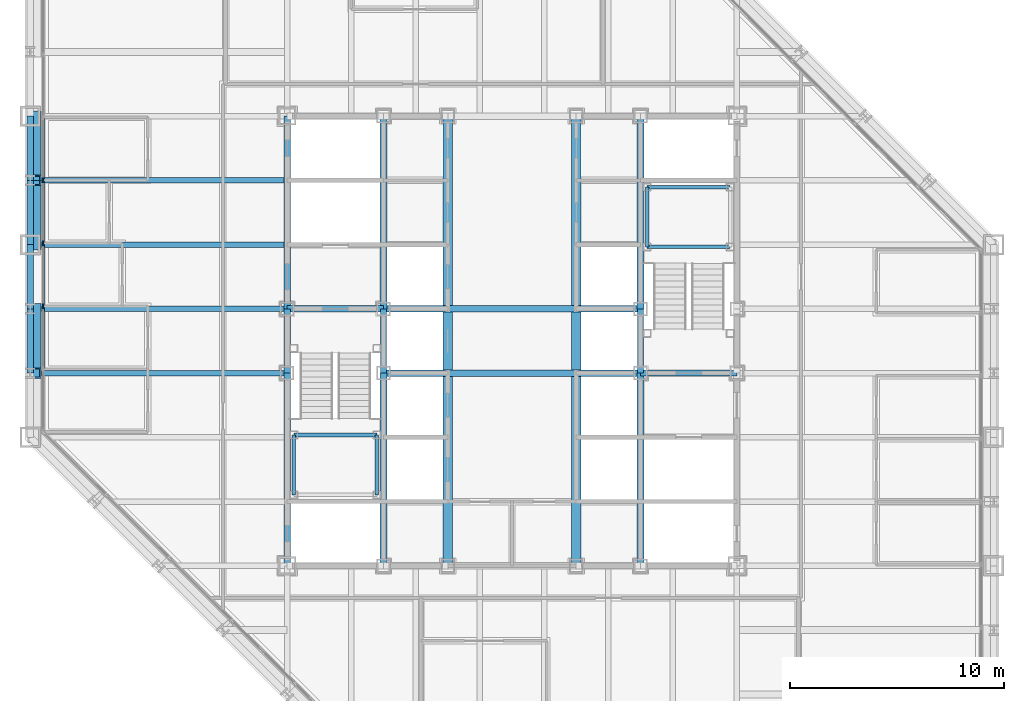
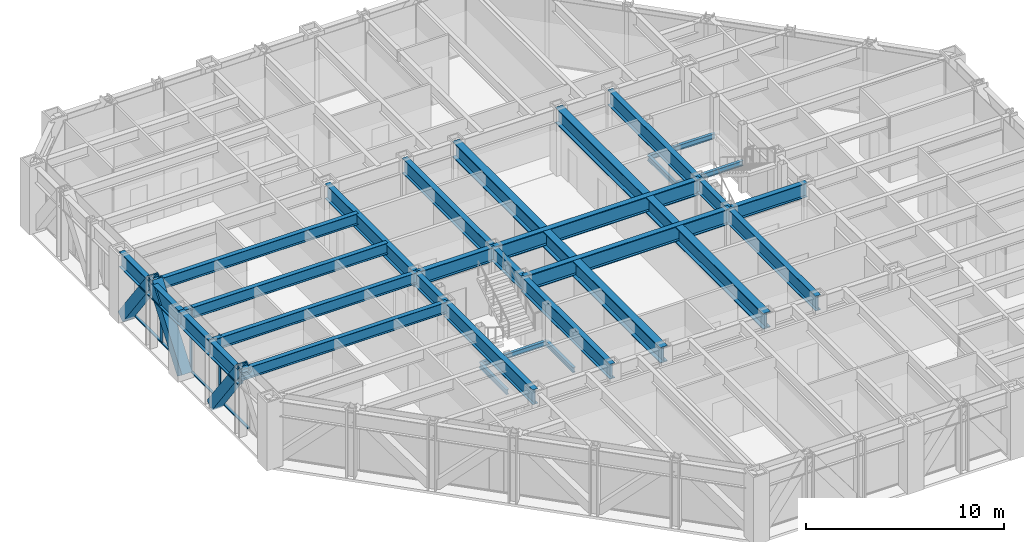
# One storey, part 5 of 16: 33 beams, 10 members, 1 element without a shape of its own.
"""IFC4 building model written with IfcOpenShell, lengths in metres."""

from ifc_helpers import new_model, si_unit, direction, frame, origin, origin_2d, place, context, subcontext, project, spatial, rectangle, hollow_rectangle, i_section, extrude, material, layer, layer_set, material_profile, profile_set, type_object, element, aggregate, save


model = new_model("IFC4")

# Units and contexts
model_context = context("Model", 3, precision=1e-05, world=origin(), true_north=direction((0.0, 1.0)))
body_context = subcontext(model_context, "Body", "Model", "MODEL_VIEW")
ifc_project = project(units=[si_unit("LENGTHUNIT", "METRE"), si_unit("AREAUNIT", "SQUARE_METRE"), si_unit("VOLUMEUNIT", "CUBIC_METRE"), si_unit("PLANEANGLEUNIT", "RADIAN"), si_unit("MASSUNIT", "GRAM", prefix="KILO")], contexts=[model_context])

# Site, building, storey
site_placement = place(None, origin())
site = spatial("IfcSite", under=ifc_project, at=site_placement, CompositionType="ELEMENT")
building_placement = place(site_placement, origin())
building = spatial("IfcBuilding", under=site, at=building_placement, Name="Chuquiago Exchange Tower", CompositionType="ELEMENT")
storey_placement = place(building_placement, frame((0.0, 0.0, 140.39990234375)))
storey = spatial("IfcBuildingStorey", under=building, at=storey_placement, Name="L30", CompositionType="ELEMENT", Elevation=140.39990234375)

# Beams
ifc_material_1 = material(Name="Steel ASTM A992", Category="steel")
ifc_material_profile_1 = material_profile(ifc_material_1, i_section(OverallWidth=0.25390625, OverallDepth=0.683349609375, WebThickness=0.012451171875, FlangeThickness=0.018798828125, at=origin_2d()), Name="W27X94")
ifc_profile_set_1 = profile_set([ifc_material_profile_1], Name="Steel ASTM A992")
beam_type_1 = type_object("IfcBeamType", Name="B1 W27X94", PredefinedType="BEAM", material=ifc_profile_set_1)
for number, where, z_axis, x_axis, name in (
    (1, (12.0, 21.0, 3.698486328125), (-1.0, 0.0, 0.0), (0.0, -1.0, 0.0), "FB-L31-infill-12_21--0_21-0"),
    (2, (12.0, 24.0, 3.698486328125), (-1.0, 0.0, 0.0), (0.0, -1.0, 0.0), "FB-L31-infill-12_24--0_24-0"),
    (3, (12.0, 27.0, 3.698486328125), (-1.0, 0.0, 0.0), (0.0, -1.0, 0.0), "FB-L31-infill-12_27--0_27-0"),
    (4, (12.0, 30.0, 3.698486328125), (-1.0, 0.0, 0.0), (0.0, -1.0, 0.0), "FB-L31-infill-12_30--0_30-0"),
):
    element("IfcBeam", number, at=place(storey_placement, frame(where, z_axis=z_axis, x_axis=x_axis)), inside=storey, type_object=beam_type_1, Name=name, PredefinedType="BEAM", context=body_context, shape_type="SweptSolid", body=[
        extrude(i_section(OverallWidth=0.25390625, OverallDepth=0.683349609375, WebThickness=0.012451171875, FlangeThickness=0.018798828125, at=origin_2d()), origin(), (0.0, 0.0, 1.0), 12.0),
    ])
ifc_material_2 = material(Name="Steel ASTM A992", Category="steel")
ifc_material_profile_2 = material_profile(ifc_material_2, i_section(OverallWidth=0.307373046875, OverallDepth=0.927001953125, WebThickness=0.01953125, FlangeThickness=0.031982421875, at=origin_2d()), Name="W36X194")
ifc_profile_set_2 = profile_set([ifc_material_profile_2], Name="Steel ASTM A992")
beam_type_2 = type_object("IfcBeamType", Name="B10 W36X194", PredefinedType="BEAM", material=ifc_profile_set_2)
for number, where, z_axis, x_axis, name in (
    (5, (12.0, 12.0, 3.576416015625), (0.0, 1.0, 0.0), (-1.0, 0.0, 0.0), "CB-L31-12_12-12_21"),
    (6, (12.0, 24.0, 3.576416015625), (0.0, 1.0, 0.0), (-1.0, 0.0, 0.0), "CB-L31-12_24-12_33"),
    (7, (16.5, 12.0, 3.576416015625), (0.0, 1.0, 0.0), (-1.0, 0.0, 0.0), "CB-L31-16.5_12-16.5_21"),
    (8, (16.5, 24.0, 3.576416015625), (0.0, 1.0, 0.0), (-1.0, 0.0, 0.0), "CB-L31-16.5_24-16.5_33"),
    (9, (28.5, 12.0, 3.576416015625), (0.0, 1.0, 0.0), (-1.0, 0.0, 0.0), "CB-L31-28.5_12-28.5_21"),
    (10, (28.5, 24.0, 3.576416015625), (0.0, 1.0, 0.0), (-1.0, 0.0, 0.0), "CB-L31-28.5_24-28.5_33"),
):
    element("IfcBeam", number, at=place(storey_placement, frame(where, z_axis=z_axis, x_axis=x_axis)), inside=storey, type_object=beam_type_2, Name=name, PredefinedType="BEAM", context=body_context, shape_type="SweptSolid", body=[
        extrude(i_section(OverallWidth=0.307373046875, OverallDepth=0.927001953125, WebThickness=0.01953125, FlangeThickness=0.031982421875, at=origin_2d()), origin(), (0.0, 0.0, 1.0), 9.0),
    ])
ifc_material_3 = material(Name="Steel ASTM A992", Category="steel")
ifc_material_profile_3 = material_profile(ifc_material_3, i_section(OverallWidth=0.309814453125, OverallDepth=0.949951171875, WebThickness=0.0244140625, FlangeThickness=0.0439453125, at=origin_2d()), Name="W36X256")
ifc_profile_set_3 = profile_set([ifc_material_profile_3], Name="Steel ASTM A992")
beam_type_3 = type_object("IfcBeamType", Name="B11 W36X256", PredefinedType="BEAM", material=ifc_profile_set_3)
for number, where, z_axis, x_axis, name in (
    (11, (16.5, 21.0, 3.565185546875), (1.0, 0.0, 0.0), (0.0, 1.0, 0.0), "CB-L31-16.5_21-28.5_21"),
    (12, (16.5, 24.0, 3.565185546875), (1.0, 0.0, 0.0), (0.0, 1.0, 0.0), "CB-L31-16.5_24-28.5_24"),
):
    element("IfcBeam", number, at=place(storey_placement, frame(where, z_axis=z_axis, x_axis=x_axis)), inside=storey, type_object=beam_type_3, Name=name, PredefinedType="BEAM", context=body_context, shape_type="SweptSolid", body=[
        extrude(i_section(OverallWidth=0.309814453125, OverallDepth=0.949951171875, WebThickness=0.0244140625, FlangeThickness=0.0439453125, at=origin_2d()), origin(), (0.0, 0.0, 1.0), 12.0),
    ])
ifc_material_4 = material(Name="Steel ASTM A992", Category="steel")
ifc_material_profile_4 = material_profile(ifc_material_4, i_section(OverallWidth=0.4267578125, OverallDepth=0.975341796875, WebThickness=0.031005859375, FlangeThickness=0.055908203125, at=origin_2d()), Name="W36X395")
ifc_profile_set_4 = profile_set([ifc_material_profile_4], Name="Steel ASTM A992")
beam_type_4 = type_object("IfcBeamType", Name="B12 W36X395", PredefinedType="BEAM", material=ifc_profile_set_4)
beam_1_placement = place(storey_placement, frame((19.5, 12.0, 3.552490234375), z_axis=(0.0, 1.0, 0.0), x_axis=(-1.0, 0.0, 0.0)))
element("IfcBeam", 13, at=beam_1_placement, inside=storey, type_object=beam_type_4, Name="CB-L31-19.5_12-19.5_20.8451", PredefinedType="BEAM", context=body_context, shape_type="SweptSolid", body=[
    extrude(i_section(OverallWidth=0.4267578125, OverallDepth=0.975341796875, WebThickness=0.031005859375, FlangeThickness=0.055908203125, at=origin_2d()), origin(), (0.0, 0.0, 1.0), 8.84521484375),
])
beam_2_placement = place(storey_placement, frame((19.5, 21.15478515625, 3.552490234375), z_axis=(0.0, 1.0, 0.0), x_axis=(-1.0, 0.0, 0.0)))
element("IfcBeam", 14, at=beam_2_placement, inside=storey, type_object=beam_type_4, Name="CB-L31-19.5_21.1549-19.5_23.8451", PredefinedType="BEAM", context=body_context, shape_type="SweptSolid", body=[
    extrude(i_section(OverallWidth=0.4267578125, OverallDepth=0.975341796875, WebThickness=0.031005859375, FlangeThickness=0.055908203125, at=origin_2d()), origin(), (0.0, 0.0, 1.0), 2.6904296875),
])
for number, where, z_axis, x_axis, name in (
    (15, (19.5, 24.15478515625, 3.552490234375), (0.0, 1.0, 0.0), (-1.0, 0.0, 0.0), "CB-L31-19.5_24.1549-19.5_33"),
    (16, (25.5, 12.0, 3.552490234375), (0.0, 1.0, 0.0), (-1.0, 0.0, 0.0), "CB-L31-25.5_12-25.5_20.8451"),
):
    element("IfcBeam", number, at=place(storey_placement, frame(where, z_axis=z_axis, x_axis=x_axis)), inside=storey, type_object=beam_type_4, Name=name, PredefinedType="BEAM", context=body_context, shape_type="SweptSolid", body=[
        extrude(i_section(OverallWidth=0.4267578125, OverallDepth=0.975341796875, WebThickness=0.031005859375, FlangeThickness=0.055908203125, at=origin_2d()), origin(), (0.0, 0.0, 1.0), 8.84521484375),
    ])
beam_3_placement = place(storey_placement, frame((25.5, 21.15478515625, 3.552490234375), z_axis=(0.0, 1.0, 0.0), x_axis=(-1.0, 0.0, 0.0)))
element("IfcBeam", 17, at=beam_3_placement, inside=storey, type_object=beam_type_4, Name="CB-L31-25.5_21.1549-25.5_23.8451", PredefinedType="BEAM", context=body_context, shape_type="SweptSolid", body=[
    extrude(i_section(OverallWidth=0.4267578125, OverallDepth=0.975341796875, WebThickness=0.031005859375, FlangeThickness=0.055908203125, at=origin_2d()), origin(), (0.0, 0.0, 1.0), 2.6904296875),
])
beam_4_placement = place(storey_placement, frame((25.5, 24.15478515625, 3.552490234375), z_axis=(0.0, 1.0, 0.0), x_axis=(-1.0, 0.0, 0.0)))
element("IfcBeam", 18, at=beam_4_placement, inside=storey, type_object=beam_type_4, Name="CB-L31-25.5_24.1549-25.5_33", PredefinedType="BEAM", context=body_context, shape_type="SweptSolid", body=[
    extrude(i_section(OverallWidth=0.4267578125, OverallDepth=0.975341796875, WebThickness=0.031005859375, FlangeThickness=0.055908203125, at=origin_2d()), origin(), (0.0, 0.0, 1.0), 8.84521484375),
])
ifc_material_5 = material(Name="Steel ASTM A992", Category="steel")
ifc_material_profile_5 = material_profile(ifc_material_5, i_section(OverallWidth=0.2919921875, OverallDepth=0.8583984375, WebThickness=0.01708984375, FlangeThickness=0.031005859375, at=origin_2d()), Name="W33X169")
ifc_profile_set_5 = profile_set([ifc_material_profile_5], Name="Steel ASTM A992")
beam_type_5 = type_object("IfcBeamType", Name="B3 W33X169", PredefinedType="BEAM", material=ifc_profile_set_5)
for number, where, z_axis, x_axis, name in (
    (19, (12.0, 21.0, 3.61083984375), (0.0, 1.0, 0.0), (-1.0, 0.0, 0.0), "CB-L31-12_21-12_24"),
    (20, (16.5, 21.0, 3.61083984375), (0.0, 1.0, 0.0), (-1.0, 0.0, 0.0), "CB-L31-16.5_21-16.5_24"),
    (21, (28.5, 21.0, 3.61083984375), (0.0, 1.0, 0.0), (-1.0, 0.0, 0.0), "CB-L31-28.5_21-28.5_24"),
):
    element("IfcBeam", number, at=place(storey_placement, frame(where, z_axis=z_axis, x_axis=x_axis)), inside=storey, type_object=beam_type_5, Name=name, PredefinedType="BEAM", context=body_context, shape_type="SweptSolid", body=[
        extrude(i_section(OverallWidth=0.2919921875, OverallDepth=0.8583984375, WebThickness=0.01708984375, FlangeThickness=0.031005859375, at=origin_2d()), origin(), (0.0, 0.0, 1.0), 3.0),
    ])
for number, where, z_axis, x_axis, name in (
    (22, (28.5, 21.0, 3.61083984375), (1.0, 0.0, 0.0), (0.0, 1.0, 0.0), "CB-L31-28.5_21-33_21"),
    (23, (12.0, 24.0, 3.61083984375), (1.0, 0.0, 0.0), (0.0, 1.0, 0.0), "CB-L31-12_24-16.5_24"),
):
    element("IfcBeam", number, at=place(storey_placement, frame(where, z_axis=z_axis, x_axis=x_axis)), inside=storey, type_object=beam_type_5, Name=name, PredefinedType="BEAM", context=body_context, shape_type="SweptSolid", body=[
        extrude(i_section(OverallWidth=0.2919921875, OverallDepth=0.8583984375, WebThickness=0.01708984375, FlangeThickness=0.031005859375, at=origin_2d()), origin(), (0.0, 0.0, 1.0), 4.5),
    ])

# Curtain wall, members
ifc_material_6 = material(Name="Aluminium curtain wall system", Category="aluminium")
ifc_layer = layer(ifc_material_6, 0.22509765625)
ifc_layer_set = layer_set([ifc_layer], Name="CW2 office curtain wall")
curtain_wall_type = type_object("IfcCurtainWallType", Name="CW2 office curtain wall", PredefinedType="NOTDEFINED", material=ifc_layer_set)
curtain_wall_placement = place(storey_placement, origin())
curtain_wall = element("IfcCurtainWall", 24, at=curtain_wall_placement, inside=storey, type_object=curtain_wall_type, Name="CW2 curtain wall L30", PredefinedType="NOTDEFINED")
ifc_material_7 = material(Name="Aluminium mullion, pale anodised", Category="aluminium")
ifc_material_profile_6 = material_profile(ifc_material_7, rectangle(XDim=0.06494140625, YDim=0.22509765625, at=origin_2d()), Name="AL 65x225")
ifc_profile_set_6 = profile_set([ifc_material_profile_6], Name="Aluminium mullion, pale anodised")
member_type_1 = type_object("IfcMemberType", Name="CW2-M mullion 65x225", PredefinedType="MULLION", material=ifc_profile_set_6)
member_1_placement = place(storey_placement, frame((0.60009765625, 30.0, 0.0), z_axis=(0.0, 0.0, 1.0), x_axis=(1.0, 0.0, 0.0)))
member_1 = element("IfcMember", 25, at=member_1_placement, type_object=member_type_1, Name="CW2 mullion 5", PredefinedType="MULLION", context=body_context, shape_type="SweptSolid", body=[
    extrude(rectangle(XDim=0.06494140625, YDim=0.22509765625, at=origin_2d()), origin(), (0.0, 0.0, 1.0), 4.0400390625),
])
member_2_placement = place(storey_placement, frame((0.60009765625, 27.06201171875, 0.0), z_axis=(0.0, 0.0, 1.0), x_axis=(1.0, 0.0, 0.0)))
member_2 = element("IfcMember", 26, at=member_2_placement, type_object=member_type_1, Name="CW2 mullion 6", PredefinedType="MULLION", context=body_context, shape_type="SweptSolid", body=[
    extrude(rectangle(XDim=0.06494140625, YDim=0.22509765625, at=origin_2d()), origin(), (0.0, 0.0, 1.0), 4.0400390625),
])
member_3_placement = place(storey_placement, frame((0.60009765625, 24.124267578125, 0.0), z_axis=(0.0, 0.0, 1.0), x_axis=(1.0, 0.0, 0.0)))
member_3 = element("IfcMember", 27, at=member_3_placement, type_object=member_type_1, Name="CW2 mullion 7", PredefinedType="MULLION", context=body_context, shape_type="SweptSolid", body=[
    extrude(rectangle(XDim=0.06494140625, YDim=0.22509765625, at=origin_2d()), origin(), (0.0, 0.0, 1.0), 4.0400390625),
])
ifc_material_8 = material(Name="Aluminium transom, pale anodised", Category="aluminium")
ifc_material_profile_7 = material_profile(ifc_material_8, rectangle(XDim=0.139892578125, YDim=0.06494140625, at=origin_2d()), Name="AL 140x65")
ifc_profile_set_7 = profile_set([ifc_material_profile_7], Name="Aluminium transom, pale anodised")
member_type_2 = type_object("IfcMemberType", Name="CW2-T transom 65x140", PredefinedType="MULLION", material=ifc_profile_set_7)
member_4_placement = place(storey_placement, frame((0.60009765625, 32.9052734375, 0.03271484375), z_axis=(0.0, -1.0, 0.0), x_axis=(1.0, 0.0, 0.0)))
member_4 = element("IfcMember", 28, at=member_4_placement, type_object=member_type_2, Name="CW2 transom 4.1", PredefinedType="MULLION", context=body_context, shape_type="SweptSolid", body=[
    extrude(rectangle(XDim=0.139892578125, YDim=0.06494140625, at=origin_2d()), origin(), (0.0, 0.0, 1.0), 2.872802734375),
])
member_5_placement = place(storey_placement, frame((0.60009765625, 29.967529296875, 0.03271484375), z_axis=(0.0, -1.0, 0.0), x_axis=(1.0, 0.0, 0.0)))
member_5 = element("IfcMember", 29, at=member_5_placement, type_object=member_type_2, Name="CW2 transom 5.1", PredefinedType="MULLION", context=body_context, shape_type="SweptSolid", body=[
    extrude(rectangle(XDim=0.139892578125, YDim=0.06494140625, at=origin_2d()), origin(), (0.0, 0.0, 1.0), 2.872802734375),
])
member_6_placement = place(storey_placement, frame((0.60009765625, 27.029541015625, 0.03271484375), z_axis=(0.0, -1.0, 0.0), x_axis=(1.0, 0.0, 0.0)))
member_6 = element("IfcMember", 30, at=member_6_placement, type_object=member_type_2, Name="CW2 transom 6.1", PredefinedType="MULLION", context=body_context, shape_type="SweptSolid", body=[
    extrude(rectangle(XDim=0.139892578125, YDim=0.06494140625, at=origin_2d()), origin(), (0.0, 0.0, 1.0), 2.872802734375),
])
member_7_placement = place(storey_placement, frame((0.60009765625, 24.091796875, 0.03271484375), z_axis=(0.0, -1.0, 0.0), x_axis=(1.0, 0.0, 0.0)))
member_7 = element("IfcMember", 31, at=member_7_placement, type_object=member_type_2, Name="CW2 transom 7.1", PredefinedType="MULLION", context=body_context, shape_type="SweptSolid", body=[
    extrude(rectangle(XDim=0.139892578125, YDim=0.06494140625, at=origin_2d()), origin(), (0.0, 0.0, 1.0), 2.872802734375),
])
aggregate(curtain_wall, [member_1, member_2, member_3, member_4, member_5, member_6, member_7])

# Beams
ifc_material_9 = material(Name="Steel ASTM A992", Category="steel")
ifc_material_profile_8 = material_profile(ifc_material_9, i_section(OverallWidth=0.164794921875, OverallDepth=0.309814453125, WebThickness=0.005859375, FlangeThickness=0.009765625, at=origin_2d()), Name="W12X26")
ifc_profile_set_8 = profile_set([ifc_material_profile_8], Name="Steel ASTM A992")
beam_type_6 = type_object("IfcBeamType", Name="LS1 W12X26", PredefinedType="BEAM", material=ifc_profile_set_8)
for number, where, z_axis, x_axis, name in (
    (32, (12.31005859375, 15.31005859375, 1.7451171875), (0.0, 1.0, 0.0), (-1.0, 0.0, 0.0), "Stair ST1 L30 landing 1 stringer"),
    (33, (16.18994140625, 15.31005859375, 1.7451171875), (0.0, 1.0, 0.0), (-1.0, 0.0, 0.0), "Stair ST1 L30 landing 1 stringer"),
    (34, (28.81005859375, 26.889892578125, 1.7451171875), (0.0, 1.0, 0.0), (-1.0, 0.0, 0.0), "Stair ST2 L30 landing 1 stringer"),
):
    element("IfcBeam", number, at=place(storey_placement, frame(where, z_axis=z_axis, x_axis=x_axis)), inside=storey, type_object=beam_type_6, Name=name, PredefinedType="BEAM", context=body_context, shape_type="SweptSolid", body=[
        extrude(i_section(OverallWidth=0.164794921875, OverallDepth=0.309814453125, WebThickness=0.005859375, FlangeThickness=0.009765625, at=origin_2d()), origin(), (0.0, 0.0, 1.0), 2.800048828125),
    ])
ifc_material_10 = material(Name="Steel ASTM A992", Category="steel")
ifc_material_profile_9 = material_profile(ifc_material_10, i_section(OverallWidth=0.164794921875, OverallDepth=0.309814453125, WebThickness=0.005859375, FlangeThickness=0.009765625, at=origin_2d()), Name="W12X26")
ifc_profile_set_9 = profile_set([ifc_material_profile_9], Name="Steel ASTM A992")
beam_type_7 = type_object("IfcBeamType", Name="LT1 W12X26", PredefinedType="BEAM", material=ifc_profile_set_9)
for number, where, z_axis, x_axis, name in (
    (35, (12.31005859375, 18.110107421875, 1.7451171875), (1.0, 0.0, 0.0), (0.0, 1.0, 0.0), "Stair ST1 L30 landing 1 trimmer"),
    (36, (28.81005859375, 29.68994140625, 1.7451171875), (1.0, 0.0, 0.0), (0.0, 1.0, 0.0), "Stair ST2 L30 landing 1 trimmer"),
    (37, (28.81005859375, 26.889892578125, 1.7451171875), (1.0, 0.0, 0.0), (0.0, 1.0, 0.0), "Stair ST2 L30 landing 1 trimmer"),
):
    element("IfcBeam", number, at=place(storey_placement, frame(where, z_axis=z_axis, x_axis=x_axis)), inside=storey, type_object=beam_type_7, Name=name, PredefinedType="BEAM", context=body_context, shape_type="SweptSolid", body=[
        extrude(i_section(OverallWidth=0.164794921875, OverallDepth=0.309814453125, WebThickness=0.005859375, FlangeThickness=0.009765625, at=origin_2d()), origin(), (0.0, 0.0, 1.0), 3.8798828125),
    ])

# Members
ifc_material_11 = material(Name="Steel ASTM A572 Grade 50", Category="steel")
ifc_material_profile_10 = material_profile(ifc_material_11, hollow_rectangle(XDim=0.60009765625, YDim=0.60009765625, WallThickness=0.06005859375, at=origin_2d()), Name="BOX600X600X60")
ifc_profile_set_10 = profile_set([ifc_material_profile_10], Name="Steel ASTM A572 Grade 50")
member_type_3 = type_object("IfcMemberType", Name="MB2 BOX600X600X60", PredefinedType="BRACE", material=ifc_profile_set_10)
for number, where, z_axis, x_axis, name in (
    (38, (0.205078125, 33.0, 0.0), (0.0, -0.596173923302, 0.802855312728), (1.0, 0.0, 0.0), "Mega diagonal L30 W face"),
    (39, (0.205078125, 27.0, 0.0), (0.0, 0.596173923302, 0.802855312728), (-1.0, 0.0, 0.0), "Mega diagonal L30 W face"),
    (40, (0.205078125, 24.0, 0.0), (0.0, -0.596173923302, 0.802855312728), (1.0, 0.0, 0.0), "Mega diagonal L30 W face"),
):
    element("IfcMember", number, at=place(storey_placement, frame(where, z_axis=z_axis, x_axis=x_axis)), inside=storey, type_object=member_type_3, Name=name, PredefinedType="BRACE", context=body_context, shape_type="SweptSolid", body=[
        extrude(hollow_rectangle(XDim=0.60009765625, YDim=0.60009765625, WallThickness=0.06005859375, at=origin_2d()), origin(), (0.0, 0.0, 1.0), 5.031982421875),
    ])

# Beams
ifc_material_12 = material(Name="Steel ASTM A992", Category="steel")
ifc_material_profile_11 = material_profile(ifc_material_12, i_section(OverallWidth=0.309814453125, OverallDepth=0.949951171875, WebThickness=0.0244140625, FlangeThickness=0.0439453125, at=origin_2d()), Name="W36X256")
ifc_profile_set_11 = profile_set([ifc_material_profile_11], Name="Steel ASTM A992")
beam_type_8 = type_object("IfcBeamType", Name="SP2 W36X256", PredefinedType="SPANDREL", material=ifc_profile_set_11)
for number, where, z_axis, x_axis, name in (
    (41, (0.0, 33.0, 3.565185546875), (0.0, -1.0, 0.0), (1.0, 0.0, 0.0), "SPB-L31-0_33-0_30"),
    (42, (0.0, 30.0, 3.565185546875), (0.0, -1.0, 0.0), (1.0, 0.0, 0.0), "SPB-L31-0_30-0_27"),
    (43, (0.0, 27.0, 3.565185546875), (0.0, -1.0, 0.0), (1.0, 0.0, 0.0), "SPB-L31-0_27-0_24"),
    (44, (0.0, 24.0, 3.565185546875), (0.0, -1.0, 0.0), (1.0, 0.0, 0.0), "SPB-L31-0_24-0_21"),
):
    element("IfcBeam", number, at=place(storey_placement, frame(where, z_axis=z_axis, x_axis=x_axis)), inside=storey, type_object=beam_type_8, Name=name, PredefinedType="SPANDREL", context=body_context, shape_type="SweptSolid", body=[
        extrude(i_section(OverallWidth=0.309814453125, OverallDepth=0.949951171875, WebThickness=0.0244140625, FlangeThickness=0.0439453125, at=origin_2d()), origin(), (0.0, 0.0, 1.0), 3.0),
    ])

save(model, "model.ifc")
